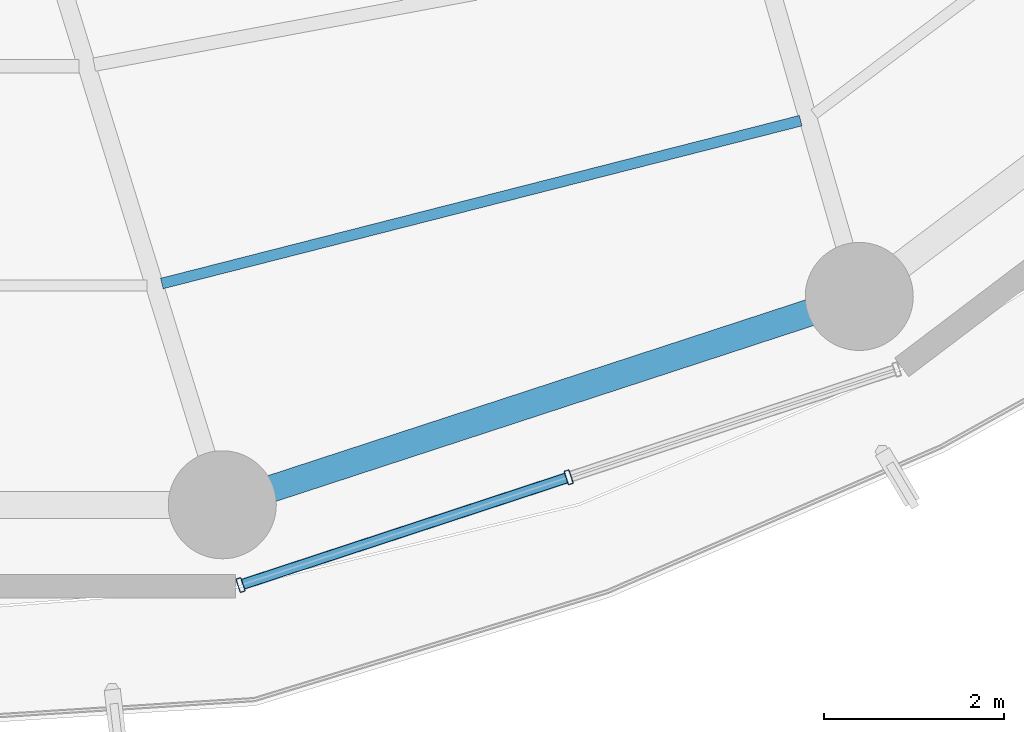
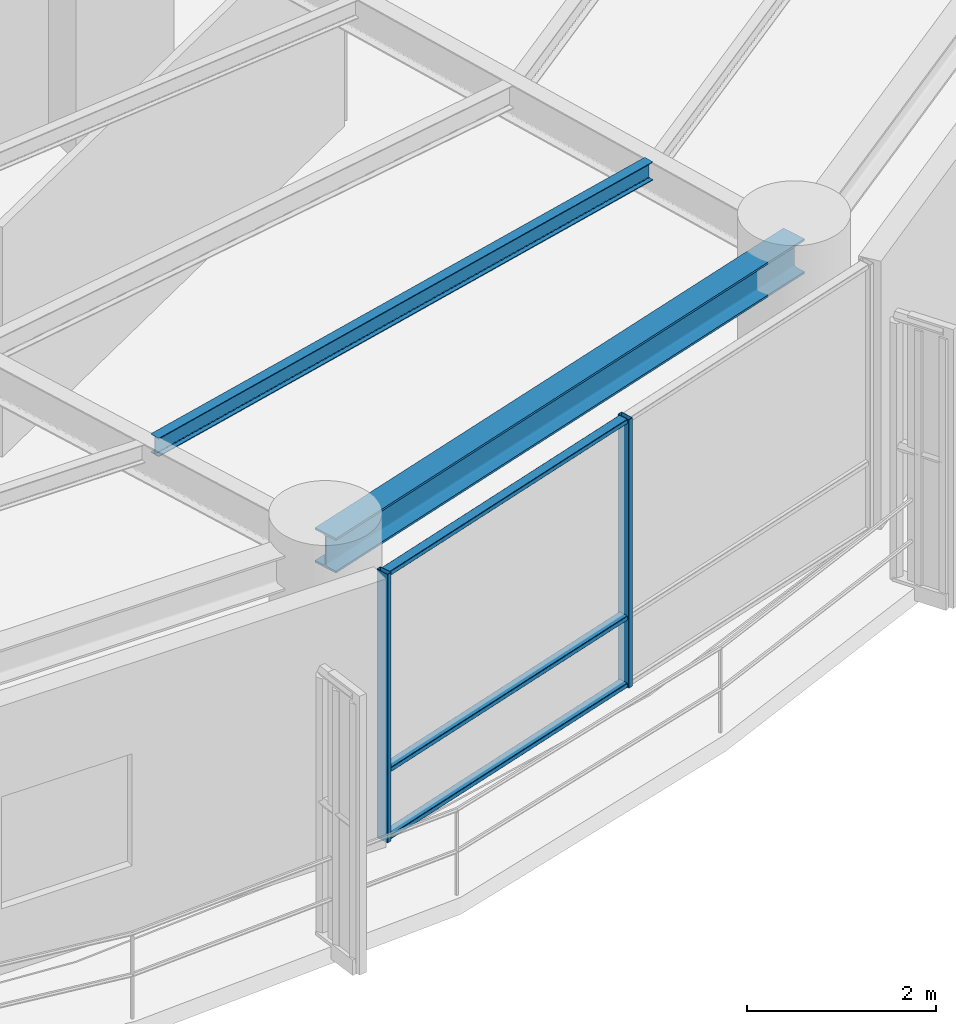
# One storey, part 4 of 27: 5 members, 2 beams, 1 element without a shape of its own.
"""IFC4 building model written with IfcOpenShell, lengths in metres."""

from ifc_helpers import new_model, si_unit, direction, frame, origin, origin_2d, place, context, subcontext, project, spatial, hollow_rectangle, i_section, extrude, material, layer, layer_set, material_profile, profile_set, type_object, element, aggregate, save


model = new_model("IFC4")

# Units and contexts
model_context = context("Model", 3, precision=1e-05, world=origin(), true_north=direction((0.0, 1.0)))
body_context = subcontext(model_context, "Body", "Model", "MODEL_VIEW")
ifc_project = project(units=[si_unit("LENGTHUNIT", "METRE"), si_unit("AREAUNIT", "SQUARE_METRE"), si_unit("VOLUMEUNIT", "CUBIC_METRE"), si_unit("PLANEANGLEUNIT", "RADIAN"), si_unit("MASSUNIT", "GRAM", prefix="KILO")], contexts=[model_context])

# Site, building, storey
site_placement = place(None, origin())
site = spatial("IfcSite", under=ifc_project, at=site_placement, CompositionType="ELEMENT")
building_placement = place(site_placement, origin())
building = spatial("IfcBuilding", under=site, at=building_placement, Name="Kelanora Arch Commons", CompositionType="ELEMENT")
storey_placement = place(building_placement, frame((0.0, 0.0, 169.35009765625)))
storey = spatial("IfcBuildingStorey", under=building, at=storey_placement, Name="L43", CompositionType="ELEMENT", Elevation=169.35009765625)

# Beams
ifc_material_1 = material(Name="Steel S355", Category="steel")
ifc_material_profile_1 = material_profile(ifc_material_1, i_section(OverallWidth=0.1201171875, OverallDepth=0.239990234375, WebThickness=0.006103515625, FlangeThickness=0.009765625, FilletRadius=0.014892578125, at=origin_2d()), Name="IPE240")
ifc_profile_set_1 = profile_set([ifc_material_profile_1], Name="Steel S355")
beam_type_1 = type_object("IfcBeamType", Name="BM-JST-02", PredefinedType="JOIST", material=ifc_profile_set_1)
beam_1_placement = place(storey_placement, frame((77.093994140625, 41.273681640625, 3.369873046875), z_axis=(0.96900232943, 0.247051584815, 0.0), x_axis=(-0.247051584815, 0.96900232943, 0.0)))
element("IfcBeam", 1, at=beam_1_placement, inside=storey, type_object=beam_type_1, Name="Secondary Chord Joist BJC-28 L43", PredefinedType="JOIST", context=body_context, shape_type="SweptSolid", body=[
    extrude(i_section(OverallWidth=0.1201171875, OverallDepth=0.239990234375, WebThickness=0.006103515625, FlangeThickness=0.009765625, FilletRadius=0.014892578125, at=origin_2d()), origin(), (0.0, 0.0, 1.0), 7.32275390625),
])
ifc_material_profile_2 = material_profile(ifc_material_1, i_section(OverallWidth=0.300048828125, OverallDepth=0.449951171875, WebThickness=0.013916015625, FlangeThickness=0.02587890625, FilletRadius=0.027099609375, at=origin_2d()), Name="HEB450")
ifc_profile_set_2 = profile_set([ifc_material_profile_2], Name="Steel S355")
beam_type_2 = type_object("IfcBeamType", Name="BM-SPN-Z3", PredefinedType="SPANDREL", material=ifc_profile_set_2)
beam_2_placement = place(storey_placement, frame((77.7646484375, 38.81591796875, 3.264892578125), z_axis=(0.950461975786, 0.310840847676, 0.0), x_axis=(-0.310840847676, 0.950461975786, 0.0)))
element("IfcBeam", 2, at=beam_2_placement, inside=storey, type_object=beam_type_2, Name="Perimeter Spandrel Beam BS-28 L43", PredefinedType="SPANDREL", context=body_context, shape_type="SweptSolid", body=[
    extrude(i_section(OverallWidth=0.300048828125, OverallDepth=0.449951171875, WebThickness=0.013916015625, FlangeThickness=0.02587890625, FilletRadius=0.027099609375, at=origin_2d()), origin(), (0.0, 0.0, 1.0), 7.444091796875),
])

# Curtain wall, members
ifc_material_2 = material(Name="Terracotta ceramic-fritted low-E glass and aluminium", Category="masonry")
ifc_layer = layer(ifc_material_2, 0.175048828125)
ifc_layer_set = layer_set([ifc_layer], Name="Terracotta ceramic-fritted low-E glass and aluminium")
curtain_wall_type = type_object("IfcCurtainWallType", Name="CW-SYS-02", PredefinedType="NOTDEFINED", material=ifc_layer_set)
curtain_wall_placement = place(storey_placement, origin())
curtain_wall = element("IfcCurtainWall", 3, at=curtain_wall_placement, inside=storey, type_object=curtain_wall_type, Name="Unitised Curtain Wall L43-B14", PredefinedType="NOTDEFINED")
ifc_material_3 = material(Name="Powder-coated aluminium terracotta", Category="masonry")
ifc_material_profile_3 = material_profile(ifc_material_3, hollow_rectangle(XDim=0.159912109375, YDim=0.06005859375, WallThickness=0.0048828125, InnerFilletRadius=0.0048828125, OuterFilletRadius=0.010009765625, at=origin_2d()), Name="CWM160x60")
ifc_profile_set_3 = profile_set([ifc_material_profile_3], Name="Powder-coated aluminium terracotta")
member_type_1 = type_object("IfcMemberType", Name="CWM-STD", PredefinedType="MULLION", material=ifc_profile_set_3)
member_1_placement = place(storey_placement, frame((77.96728515625, 37.924072265625, 0.0), z_axis=(0.0, 0.0, 1.0), x_axis=(-0.312128279571, 0.95003996605, 0.0)))
member_1 = element("IfcMember", 4, at=member_1_placement, type_object=member_type_1, Name="CW-02 mullion 1", PredefinedType="MULLION", context=body_context, shape_type="SweptSolid", body=[
    extrude(hollow_rectangle(XDim=0.159912109375, YDim=0.06005859375, WallThickness=0.0048828125, InnerFilletRadius=0.0048828125, OuterFilletRadius=0.010009765625, at=origin_2d()), origin(), (0.0, 0.0, 1.0), 3.474853515625),
])
member_2_placement = place(storey_placement, frame((81.6123046875, 39.12158203125, 0.0), z_axis=(0.0, 0.0, 1.0), x_axis=(-0.312128279571, 0.95003996605, 0.0)))
member_2 = element("IfcMember", 5, at=member_2_placement, type_object=member_type_1, Name="CW-02 mullion 2", PredefinedType="MULLION", context=body_context, shape_type="SweptSolid", body=[
    extrude(hollow_rectangle(XDim=0.159912109375, YDim=0.06005859375, WallThickness=0.0048828125, InnerFilletRadius=0.0048828125, OuterFilletRadius=0.010009765625, at=origin_2d()), origin(), (0.0, 0.0, 1.0), 3.474853515625),
])
ifc_material_profile_4 = material_profile(ifc_material_3, hollow_rectangle(XDim=0.1201171875, YDim=0.06005859375, WallThickness=0.0048828125, InnerFilletRadius=0.0048828125, OuterFilletRadius=0.010009765625, at=origin_2d()), Name="CWT120x60")
ifc_profile_set_4 = profile_set([ifc_material_profile_4], Name="Powder-coated aluminium terracotta")
member_type_2 = type_object("IfcMemberType", Name="CWT-STD", PredefinedType="USERDEFINED", material=ifc_profile_set_4)
member_3_placement = place(storey_placement, frame((77.99560546875, 37.933349609375, 0.02978515625), z_axis=(0.950051191155, 0.312094111104, 0.0), x_axis=(-0.312094111104, 0.950051191155, 0.0)))
member_3 = element("IfcMember", 6, at=member_3_placement, type_object=member_type_2, Name="CW-02 transom 1.1", ObjectType="TRANSOM", PredefinedType="USERDEFINED", context=body_context, shape_type="SweptSolid", body=[
    extrude(hollow_rectangle(XDim=0.1201171875, YDim=0.06005859375, WallThickness=0.0048828125, InnerFilletRadius=0.0048828125, OuterFilletRadius=0.010009765625, at=origin_2d()), origin(), (0.0, 0.0, 1.0), 3.77685546875),
])
member_4_placement = place(storey_placement, frame((77.99560546875, 37.933349609375, 0.89990234375), z_axis=(0.950051191155, 0.312094111104, 0.0), x_axis=(-0.312094111104, 0.950051191155, 0.0)))
member_4 = element("IfcMember", 7, at=member_4_placement, type_object=member_type_2, Name="CW-02 transom 1.2", ObjectType="TRANSOM", PredefinedType="USERDEFINED", context=body_context, shape_type="SweptSolid", body=[
    extrude(hollow_rectangle(XDim=0.1201171875, YDim=0.06005859375, WallThickness=0.0048828125, InnerFilletRadius=0.0048828125, OuterFilletRadius=0.010009765625, at=origin_2d()), origin(), (0.0, 0.0, 1.0), 3.77685546875),
])
member_5_placement = place(storey_placement, frame((77.99560546875, 37.933349609375, 3.44482421875), z_axis=(0.950051191155, 0.312094111104, 0.0), x_axis=(-0.312094111104, 0.950051191155, 0.0)))
member_5 = element("IfcMember", 8, at=member_5_placement, type_object=member_type_2, Name="CW-02 transom 1.3", ObjectType="TRANSOM", PredefinedType="USERDEFINED", context=body_context, shape_type="SweptSolid", body=[
    extrude(hollow_rectangle(XDim=0.1201171875, YDim=0.06005859375, WallThickness=0.0048828125, InnerFilletRadius=0.0048828125, OuterFilletRadius=0.010009765625, at=origin_2d()), origin(), (0.0, 0.0, 1.0), 3.77685546875),
])
aggregate(curtain_wall, [member_1, member_2, member_3, member_4, member_5])

save(model, "model.ifc")
